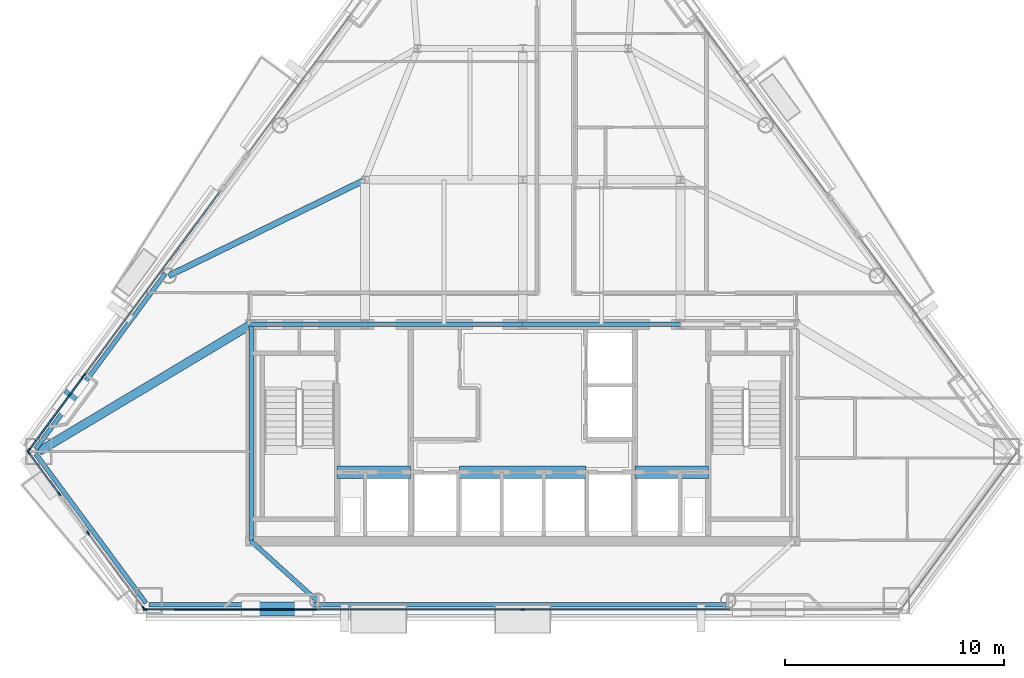
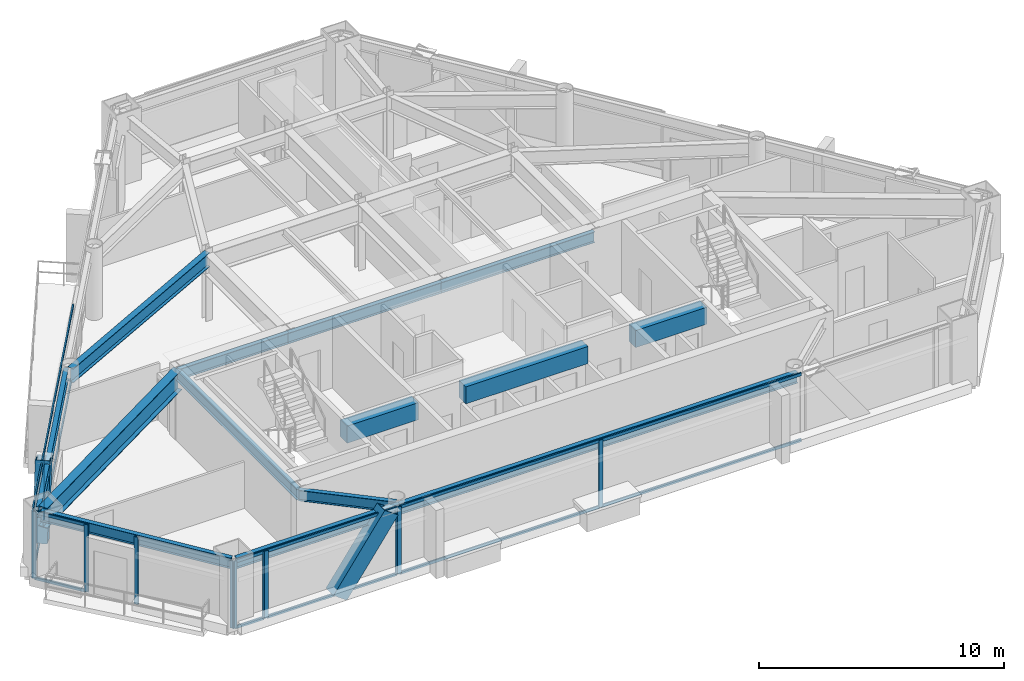
# One storey, part 3 of 11: 29 members, 14 beams, 7 elements without a shape of their own.
"""IFC4 building model written with IfcOpenShell, lengths in metres."""

import ifcopenshell
import ifcopenshell.guid

model = None  # the IFC model being written
_history = None  # IfcOwnerHistory: only IFC2X3 demands one
_inside = {}  # id of a spatial element -> (the spatial element, [elements in it])
_under = {}  # id of a project, library or spatial element -> (it, [spatial elements below it])
_declared = {}  # id of a project -> (the project, [libraries it declares])
_typed = {}  # id of a type object -> (the type object, [elements of that type])
_made_of = {}  # id of a material, layer set ... -> (it, [elements and type objects made of it])


def new_model(schema):
    """Start an empty IFC model of exactly this schema.

    Asked for "IFC4X3", IfcOpenShell would pick the latest addendum, in which some entities
    have other attributes; the version numbers below select the first issue.
    IFC2X3 requires an IfcOwnerHistory on every rooted entity: one is made here for all.
    """
    global model, _history
    if schema == "IFC4X3":
        model = ifcopenshell.file(schema_version=(4, 3, 0, 0))
    else:
        model = ifcopenshell.file(schema=schema)
    _inside.clear()
    _under.clear()
    _declared.clear()
    _typed.clear()
    _made_of.clear()
    _history = None
    if model.schema == "IFC2X3":
        org = make("IfcOrganization", Name="unknown")
        user = make(
            "IfcPersonAndOrganization",
            ThePerson=make("IfcPerson", FamilyName="unknown"),
            TheOrganization=org,
        )
        app = make(
            "IfcApplication",
            ApplicationDeveloper=org,
            Version="unknown",
            ApplicationFullName="unknown",
            ApplicationIdentifier="unknown",
        )
        _history = make(
            "IfcOwnerHistory",
            OwningUser=user,
            OwningApplication=app,
            ChangeAction="ADDED",
            CreationDate=0,
        )
    return model


def make(cls, **values):
    """One entity of the class cls with the attributes given. An attribute that is None is left unset."""
    return model.create_entity(
        cls, **{name: value for name, value in values.items() if value is not None}
    )


def rooted(cls, **values):
    """An entity with a GlobalId (a new one), such as an element, a storey or a relation."""
    return make(cls, GlobalId=ifcopenshell.guid.new(), OwnerHistory=_history, **values)


def si_unit(unit_type, name, prefix=None):
    """IfcSIUnit, for example si_unit("LENGTHUNIT", "METRE", prefix="MILLI")."""
    return make("IfcSIUnit", UnitType=unit_type, Prefix=prefix, Name=name)


def assignment(units):
    """IfcUnitAssignment: the units of a project."""
    return None if units is None else make("IfcUnitAssignment", Units=units)


def point(xyz):
    """IfcCartesianPoint."""
    return None if xyz is None else make("IfcCartesianPoint", Coordinates=xyz)


def direction(xyz):
    """IfcDirection."""
    return None if xyz is None else make("IfcDirection", DirectionRatios=xyz)


def frame(location, z_axis=None, x_axis=None):
    """IfcAxis2Placement3D, a coordinate frame: its origin and axes. An axis left out is left unset."""
    return make(
        "IfcAxis2Placement3D",
        Location=point(location),
        Axis=direction(z_axis),
        RefDirection=direction(x_axis),
    )


def frame_2d(location, x_axis=None):
    """IfcAxis2Placement2D, a coordinate frame in the plane: its origin and x axis."""
    return make(
        "IfcAxis2Placement2D", Location=point(location), RefDirection=direction(x_axis)
    )


def origin():
    """The frame at (0, 0, 0) with its axes left unset."""
    return frame((0.0, 0.0, 0.0))


def origin_2d():
    """The frame at (0, 0) in the plane with its x axis left unset."""
    return frame_2d((0.0, 0.0))


def place(relative_to, where):
    """IfcLocalPlacement: puts the frame where relative to a parent placement (None: the world)."""
    return make(
        "IfcLocalPlacement", PlacementRelTo=relative_to, RelativePlacement=where
    )


def context(
    kind, dimensions, precision=None, world=None, true_north=None, identifier=None
):
    """IfcGeometricRepresentationContext, for example the 3D "Model" context."""
    return make(
        "IfcGeometricRepresentationContext",
        ContextIdentifier=identifier,
        ContextType=kind,
        CoordinateSpaceDimension=dimensions,
        Precision=precision,
        WorldCoordinateSystem=world,
        TrueNorth=true_north,
    )


def subcontext(parent, identifier, kind, view, scale=None):
    """IfcGeometricRepresentationSubContext, for example "Body" below "Model"."""
    return make(
        "IfcGeometricRepresentationSubContext",
        ContextIdentifier=identifier,
        ContextType=kind,
        ParentContext=parent,
        TargetScale=scale,
        TargetView=view,
    )


def project(units=None, contexts=None):
    """IfcProject with its units and contexts."""
    return rooted(
        "IfcProject",
        Name="project",
        RepresentationContexts=contexts,
        UnitsInContext=assignment(units),
    )


def spatial(cls, under=None, at=None, **own):
    """A site, building, storey or space (cls), placed at a placement, below another one or the project."""
    s = rooted(cls, ObjectPlacement=at, **own)
    if under is not None:
        _under.setdefault(under.id(), (under, []))[1].append(s)
    return s


def profile(cls, at=None, kind="AREA", **sizes):
    """A parametric profile (cls). Its sizes go by their IFC names, for example OverallWidth=200.0."""
    return make(cls, ProfileType=kind, Position=at, **sizes)


def rectangle(**sizes):
    """IfcRectangleProfileDef."""
    return profile("IfcRectangleProfileDef", **sizes)


def hollow_rectangle(**sizes):
    """IfcRectangleHollowProfileDef."""
    return profile("IfcRectangleHollowProfileDef", **sizes)


def i_section(**sizes):
    """IfcIShapeProfileDef."""
    return profile("IfcIShapeProfileDef", **sizes)


def extrude(swept, where, along, depth):
    """IfcExtrudedAreaSolid: the profile swept, set in the frame where, extruded along a direction by depth."""
    return make(
        "IfcExtrudedAreaSolid",
        SweptArea=swept,
        Position=where,
        ExtrudedDirection=direction(along),
        Depth=depth,
    )


def shape(context_of_items, identifier, shape_type, items):
    """IfcShapeRepresentation: the items that make up one representation, for example the "Body"."""
    return make(
        "IfcShapeRepresentation",
        ContextOfItems=context_of_items,
        RepresentationIdentifier=identifier,
        RepresentationType=shape_type,
        Items=items,
    )


def material(Name=None, Category=None):
    """IfcMaterial."""
    return make("IfcMaterial", Name=Name, Category=Category)


def layer(
    of_material, thickness, ventilated=None, Name=None, Category=None, Priority=None
):
    """IfcMaterialLayer: one layer of a wall or slab, of a material (None: an air gap)."""
    return make(
        "IfcMaterialLayer",
        Material=of_material,
        LayerThickness=thickness,
        IsVentilated=ventilated,
        Name=Name,
        Category=Category,
        Priority=Priority,
    )


def layer_set(layers, Name=None):
    """IfcMaterialLayerSet."""
    return make("IfcMaterialLayerSet", MaterialLayers=layers, LayerSetName=Name)


def material_profile(
    of_material, cross_section, Name=None, Category=None, Priority=None
):
    """IfcMaterialProfile: a cross section and its material."""
    return make(
        "IfcMaterialProfile",
        Name=Name,
        Material=of_material,
        Profile=cross_section,
        Priority=Priority,
        Category=Category,
    )


def profile_set(profiles, Name=None, composite=None):
    """IfcMaterialProfileSet."""
    return make(
        "IfcMaterialProfileSet",
        Name=Name,
        MaterialProfiles=profiles,
        CompositeProfile=composite,
    )


def made_of(thing, what):
    """Note that an element or type object is made of a material, layer set ...; save() writes the relation."""
    if what is not None:
        _made_of.setdefault(what.id(), (what, []))[1].append(thing)
    return thing


def type_object(cls, material=None, **own):
    """A type object (cls), such as IfcWallType, which elements share."""
    return made_of(rooted(cls, **own), material)


def element(
    cls,
    number,
    at=None,
    inside=None,
    cuts=None,
    type_object=None,
    material=None,
    context=None,
    identifier="Body",
    shape_type=None,
    held_by="IfcProductDefinitionShape",
    body=None,
    shapes=None,
    **own,
):
    """One element of the class cls, such as IfcWall. Its Tag is "e" and its number.

    at: its placement. inside: the storey or other place that contains it. cuts: it is an
    opening in that element (IfcRelVoidsElement). A single representation is given by context,
    identifier, shape_type and body (its items); several are given by shapes. held_by: the class
    of the entity that holds the representations. save() writes the other relations.
    """
    e = rooted(cls, Tag="e%d" % number, ObjectPlacement=at, **own)
    if body is not None:
        shapes = [shape(context, identifier, shape_type, body)]
    if shapes is not None:
        e.Representation = make(held_by, Representations=shapes)
    if inside is not None:
        _inside.setdefault(inside.id(), (inside, []))[1].append(e)
    if cuts is not None:
        rooted(
            "IfcRelVoidsElement", RelatingBuildingElement=cuts, RelatedOpeningElement=e
        )
    if type_object is not None:
        _typed.setdefault(type_object.id(), (type_object, []))[1].append(e)
    return made_of(e, material)


def aggregate(whole, parts):
    """IfcRelAggregates: a whole, such as a stair, and the parts it consists of."""
    return rooted("IfcRelAggregates", RelatingObject=whole, RelatedObjects=parts)


def save(model, path):
    """Write the relations noted so far, then the file.

    IfcRelAggregates (storeys below a building ...), IfcRelContainedInSpatialStructure (elements
    in a storey), IfcRelDefinesByType, IfcRelAssociatesMaterial and IfcRelDeclares: one each for
    every whole, place, type object, material and project.
    """
    for whole, parts in _under.values():
        aggregate(whole, parts)
    for where, things in _inside.values():
        rooted(
            "IfcRelContainedInSpatialStructure",
            RelatedElements=things,
            RelatingStructure=where,
        )
    for kind, things in _typed.values():
        rooted("IfcRelDefinesByType", RelatedObjects=things, RelatingType=kind)
    for what, things in _made_of.values():
        rooted("IfcRelAssociatesMaterial", RelatedObjects=things, RelatingMaterial=what)
    for by, libraries in _declared.values():
        rooted("IfcRelDeclares", RelatingContext=by, RelatedDefinitions=libraries)
    model.write(path)


model = new_model("IFC4")

# Units and contexts
model_context = context("Model", 3, precision=1e-05, world=origin(), true_north=direction((0.0, 1.0)))
body_context = subcontext(model_context, "Body", "Model", "MODEL_VIEW")
ifc_project = project(units=[si_unit("LENGTHUNIT", "METRE"), si_unit("AREAUNIT", "SQUARE_METRE"), si_unit("VOLUMEUNIT", "CUBIC_METRE"), si_unit("PLANEANGLEUNIT", "RADIAN"), si_unit("MASSUNIT", "GRAM", prefix="KILO")], contexts=[model_context])

# Site, building, storey
site_placement = place(None, origin())
site = spatial("IfcSite", under=ifc_project, at=site_placement, CompositionType="ELEMENT")
building_placement = place(site_placement, origin())
building = spatial("IfcBuilding", under=site, at=building_placement, Name="Talgorran Terracotta Tower", CompositionType="ELEMENT")
storey_placement = place(building_placement, frame((0.0, 0.0, 136.5)))
storey = spatial("IfcBuildingStorey", under=building, at=storey_placement, Name="L35", CompositionType="ELEMENT", Elevation=136.5)

# Beams
ifc_material_1 = material(Name="Steel Grade 350 (350L0)", Category="steel")
ifc_material_profile_1 = material_profile(ifc_material_1, i_section(OverallWidth=0.39990234375, OverallDepth=1.0, WebThickness=0.01611328125, FlangeThickness=0.031005859375, at=origin_2d()), Name="1000WB296")
ifc_profile_set_1 = profile_set([ifc_material_profile_1], Name="Steel Grade 350 (350L0)")
beam_type_1 = type_object("IfcBeamType", Name="BM_1000WB296", PredefinedType="BEAM", material=ifc_profile_set_1)
beam_1_placement = place(storey_placement, frame((-12.39990234375, -4.199951171875, 2.85009765625), z_axis=(-0.858174722871, -0.513357716436, 0.0), x_axis=(0.513357716436, -0.858174722871, 0.0)))
element("IfcBeam", 1, at=beam_1_placement, inside=storey, type_object=beam_type_1, Name="L35 Floor Girder G17", PredefinedType="BEAM", context=body_context, shape_type="SweptSolid", body=[
    extrude(i_section(OverallWidth=0.39990234375, OverallDepth=1.0, WebThickness=0.01611328125, FlangeThickness=0.031005859375, at=origin_2d()), origin(), (0.0, 0.0, 1.0), 11.298828125),
])
ifc_material_2 = material(Name="Steel S355 (300PLUS)", Category="steel")
ifc_material_profile_2 = material_profile(ifc_material_2, i_section(OverallWidth=0.27490234375, OverallDepth=0.7080078125, WebThickness=0.011962890625, FlangeThickness=0.02490234375, at=origin_2d()), Name="700WB173")
ifc_profile_set_2 = profile_set([ifc_material_profile_2], Name="Steel S355 (300PLUS)")
beam_type_2 = type_object("IfcBeamType", Name="BM_700WB173", PredefinedType="BEAM", material=ifc_profile_set_2)
beam_2_placement = place(storey_placement, frame((-7.199951171875, 2.39990234375, 2.99609375), z_axis=(-0.898565721625, -0.438838972655, 0.0), x_axis=(0.438838972655, -0.898565721625, 0.0)))
element("IfcBeam", 2, at=beam_2_placement, inside=storey, type_object=beam_type_2, Name="L35 Floor Girder G06", PredefinedType="BEAM", context=body_context, shape_type="SweptSolid", body=[
    extrude(i_section(OverallWidth=0.27490234375, OverallDepth=0.7080078125, WebThickness=0.011962890625, FlangeThickness=0.02490234375, at=origin_2d()), origin(), (0.0, 0.0, 1.0), 9.981689453125),
])
ifc_material_3 = material(Name="Concrete C50/60", Category="concrete")
ifc_material_profile_3 = material_profile(ifc_material_3, rectangle(XDim=0.550048828125, YDim=0.85009765625, at=origin_2d()), Name="RCCB550X850")
ifc_profile_set_3 = profile_set([ifc_material_profile_3], Name="Concrete C50/60")
beam_type_3 = type_object("IfcBeamType", Name="BM_CB_550X850", PredefinedType="LINTEL", material=ifc_profile_set_3)
beam_3_placement = place(storey_placement, frame((-8.47998046875, -10.949951171875, 2.925048828125), z_axis=(1.0, 0.0, 0.0), x_axis=(0.0, 1.0, 0.0)))
element("IfcBeam", 3, at=beam_3_placement, inside=storey, type_object=beam_type_3, Name="L35 Core Shear-Wall Coupling Beam CB1", PredefinedType="LINTEL", context=body_context, shape_type="SweptSolid", body=[
    extrude(rectangle(XDim=0.550048828125, YDim=0.85009765625, at=origin_2d()), origin(), (0.0, 0.0, 1.0), 3.35986328125),
])
beam_4_placement = place(storey_placement, frame((-2.8798828125, -10.949951171875, 2.925048828125), z_axis=(1.0, 0.0, 0.0), x_axis=(0.0, 1.0, 0.0)))
element("IfcBeam", 4, at=beam_4_placement, inside=storey, type_object=beam_type_3, Name="L35 Core Shear-Wall Coupling Beam CB2", PredefinedType="LINTEL", context=body_context, shape_type="SweptSolid", body=[
    extrude(rectangle(XDim=0.550048828125, YDim=0.85009765625, at=origin_2d()), origin(), (0.0, 0.0, 1.0), 5.759765625),
])
beam_5_placement = place(storey_placement, frame((5.1201171875, -10.949951171875, 2.925048828125), z_axis=(1.0, 0.0, 0.0), x_axis=(0.0, 1.0, 0.0)))
element("IfcBeam", 5, at=beam_5_placement, inside=storey, type_object=beam_type_3, Name="L35 Core Shear-Wall Coupling Beam CB3", PredefinedType="LINTEL", context=body_context, shape_type="SweptSolid", body=[
    extrude(rectangle(XDim=0.550048828125, YDim=0.85009765625, at=origin_2d()), origin(), (0.0, 0.0, 1.0), 3.35986328125),
])
ifc_material_profile_4 = material_profile(ifc_material_2, i_section(OverallWidth=0.209228515625, OverallDepth=0.532958984375, WebThickness=0.01025390625, FlangeThickness=0.015625, at=origin_2d()), Name="530UB92.4")
ifc_profile_set_4 = profile_set([ifc_material_profile_4], Name="Steel S355 (300PLUS)")
beam_type_4 = type_object("IfcBeamType", Name="BM_SP_530UB92", PredefinedType="SPANDREL", material=ifc_profile_set_4)
beam_6_placement = place(storey_placement, frame((-22.2412109375, -10.107177734375, 3.08349609375), z_axis=(0.594369201234, -0.804192298288, 0.0), x_axis=(0.804192298288, 0.594369201234, 0.0)))
element("IfcBeam", 6, at=beam_6_placement, inside=storey, type_object=beam_type_4, Name="L35 Perimeter Spandrel Beam MC1-MC2", PredefinedType="SPANDREL", context=body_context, shape_type="SweptSolid", body=[
    extrude(i_section(OverallWidth=0.209228515625, OverallDepth=0.532958984375, WebThickness=0.01025390625, FlangeThickness=0.015625, at=origin_2d()), origin(), (0.0, 0.0, 1.0), 8.478759765625),
])
beam_7_placement = place(storey_placement, frame((-17.056884765625, -16.998779296875, 3.08349609375), z_axis=(1.0, 0.0, 0.0), x_axis=(0.0, 1.0, 0.0)))
element("IfcBeam", 7, at=beam_7_placement, inside=storey, type_object=beam_type_4, Name="L35 Perimeter Spandrel Beam MC2-FC1", PredefinedType="SPANDREL", context=body_context, shape_type="SweptSolid", body=[
    extrude(i_section(OverallWidth=0.209228515625, OverallDepth=0.532958984375, WebThickness=0.01025390625, FlangeThickness=0.015625, at=origin_2d()), origin(), (0.0, 0.0, 1.0), 7.67578125),
])
beam_8_placement = place(storey_placement, frame((-9.381103515625, -16.998779296875, 3.08349609375), z_axis=(1.0, 0.0, 0.0), x_axis=(0.0, 1.0, 0.0)))
element("IfcBeam", 8, at=beam_8_placement, inside=storey, type_object=beam_type_4, Name="L35 Perimeter Spandrel Beam FC1-FC2", PredefinedType="SPANDREL", context=body_context, shape_type="SweptSolid", body=[
    extrude(i_section(OverallWidth=0.209228515625, OverallDepth=0.532958984375, WebThickness=0.01025390625, FlangeThickness=0.015625, at=origin_2d()), origin(), (0.0, 0.0, 1.0), 18.76220703125),
])
beam_9_placement = place(storey_placement, frame((-16.31396484375, -1.873291015625, 3.08349609375), z_axis=(-0.594352513119, -0.804204632011, 0.0), x_axis=(0.804204632011, -0.594352513119, 0.0)))
element("IfcBeam", 9, at=beam_9_placement, inside=storey, type_object=beam_type_4, Name="L35 Perimeter Spandrel Beam FC6-MC1", PredefinedType="SPANDREL", context=body_context, shape_type="SweptSolid", body=[
    extrude(i_section(OverallWidth=0.209228515625, OverallDepth=0.532958984375, WebThickness=0.01025390625, FlangeThickness=0.015625, at=origin_2d()), origin(), (0.0, 0.0, 1.0), 9.97265625),
])
beam_10_placement = place(storey_placement, frame((-9.381103515625, -16.81884765625, 3.08349609375), z_axis=(-0.74306999476, 0.669213704945, 0.0), x_axis=(-0.669213704945, -0.74306999476, 0.0)))
element("IfcBeam", 10, at=beam_10_placement, inside=storey, type_object=beam_type_4, Name="L35 South-West Core Tie Beam", PredefinedType="SPANDREL", context=body_context, shape_type="SweptSolid", body=[
    extrude(i_section(OverallWidth=0.209228515625, OverallDepth=0.532958984375, WebThickness=0.01025390625, FlangeThickness=0.015625, at=origin_2d()), origin(), (0.0, 0.0, 1.0), 4.0625),
])
beam_11_placement = place(storey_placement, frame((-12.39990234375, -14.10009765625, 3.08349609375), z_axis=(0.0, 1.0, 0.0), x_axis=(-1.0, 0.0, 0.0)))
element("IfcBeam", 11, at=beam_11_placement, inside=storey, type_object=beam_type_4, Name="L35 Core Frame Beam CFW", PredefinedType="SPANDREL", context=body_context, shape_type="SweptSolid", body=[
    extrude(i_section(OverallWidth=0.209228515625, OverallDepth=0.532958984375, WebThickness=0.01025390625, FlangeThickness=0.015625, at=origin_2d()), origin(), (0.0, 0.0, 1.0), 9.900146484375),
])
beam_12_placement = place(storey_placement, frame((-12.39990234375, -4.199951171875, 3.08349609375), z_axis=(1.0, 0.0, 0.0), x_axis=(0.0, 1.0, 0.0)))
element("IfcBeam", 12, at=beam_12_placement, inside=storey, type_object=beam_type_4, Name="L35 Core Frame Beam CFN1", PredefinedType="SPANDREL", context=body_context, shape_type="SweptSolid", body=[
    extrude(i_section(OverallWidth=0.209228515625, OverallDepth=0.532958984375, WebThickness=0.01025390625, FlangeThickness=0.015625, at=origin_2d()), origin(), (0.0, 0.0, 1.0), 5.199951171875),
])
for number, where, z_axis, x_axis, name in (
    (13, (-7.199951171875, -4.199951171875, 3.08349609375), (1.0, 0.0, 0.0), (0.0, 1.0, 0.0), "L35 Core Frame Beam CFN2"),
    (14, (0.0, -4.199951171875, 3.08349609375), (1.0, 0.0, 0.0), (0.0, 1.0, 0.0), "L35 Core Frame Beam CFN3"),
):
    element("IfcBeam", number, at=place(storey_placement, frame(where, z_axis=z_axis, x_axis=x_axis)), inside=storey, type_object=beam_type_4, Name=name, PredefinedType="SPANDREL", context=body_context, shape_type="SweptSolid", body=[
        extrude(i_section(OverallWidth=0.209228515625, OverallDepth=0.532958984375, WebThickness=0.01025390625, FlangeThickness=0.015625, at=origin_2d()), origin(), (0.0, 0.0, 1.0), 7.199951171875),
    ])

# Members
ifc_material_profile_5 = material_profile(ifc_material_1, hollow_rectangle(XDim=0.6201171875, YDim=0.780029296875, WallThickness=0.0419921875, at=origin_2d()), Name="WBOX780X620X42")
ifc_profile_set_5 = profile_set([ifc_material_profile_5], Name="Steel Grade 350 (350L0)")
member_type_1 = type_object("IfcMemberType", Name="MB_MEGA_780", PredefinedType="BRACE", material=ifc_profile_set_5)
member_1_placement = place(storey_placement, frame((-12.41162109375, -17.178955078125, -0.02490234375), z_axis=(0.578826145005, 0.0, 0.815450975755), x_axis=(0.0, 1.0, 0.0)))
element("IfcMember", 15, at=member_1_placement, inside=storey, type_object=member_type_1, Name="L35 Exterior Face Mega-Brace MB-2 (SWF)", PredefinedType="BRACE", context=body_context, shape_type="SweptSolid", body=[
    extrude(hollow_rectangle(XDim=0.6201171875, YDim=0.780029296875, WallThickness=0.0419921875, at=origin_2d()), origin(), (0.0, 0.0, 1.0), 4.16943359375),
])
member_2_placement = place(storey_placement, frame((-20.96142578125, -7.85888671875, -0.02490234375), z_axis=(0.178557600451, 0.241569872187, 0.953814017601), x_axis=(-0.804166664466, 0.594403882694, 0.0)))
element("IfcMember", 16, at=member_2_placement, inside=storey, type_object=member_type_1, Name="L35 Exterior Face Mega-Brace MB-2 (NWL)", PredefinedType="BRACE", context=body_context, shape_type="SweptSolid", body=[
    extrude(hollow_rectangle(XDim=0.6201171875, YDim=0.780029296875, WallThickness=0.0419921875, at=origin_2d()), origin(), (0.0, 0.0, 1.0), 3.564453125),
])

# Curtain wall, members
ifc_material_4 = material(Name="Unitised Low-E Double Glazing", Category="glass")
ifc_layer = layer(ifc_material_4, 0.199951171875, Name="CW_SYS2_RES_LOW")
ifc_layer_set = layer_set([ifc_layer], Name="Unitised Low-E Double Glazing")
curtain_wall_type = type_object("IfcCurtainWallType", Name="CW_SYS2_RES_LOW", PredefinedType="NOTDEFINED", material=ifc_layer_set)
curtain_wall_1_placement = place(storey_placement, origin())
curtain_wall_1 = element("IfcCurtainWall", 17, at=curtain_wall_1_placement, inside=storey, type_object=curtain_wall_type, Name="CW-L35-F10", PredefinedType="NOTDEFINED")
ifc_material_5 = material(Name="Architectural Aluminium 6063-T6", Category="aluminium")
ifc_material_profile_6 = material_profile(ifc_material_5, rectangle(XDim=0.06494140625, YDim=0.18505859375, at=origin_2d()), Name="CWM65X185")
ifc_profile_set_6 = profile_set([ifc_material_profile_6], Name="Architectural Aluminium 6063-T6")
member_type_2 = type_object("IfcMemberType", Name="MUL_65X185", PredefinedType="MULLION", material=ifc_profile_set_6)
member_3_placement = place(storey_placement, frame((-22.550537109375, -10.05859375, 0.0), z_axis=(0.0, 0.0, 1.0), x_axis=(0.804206457438, 0.594350043169, 0.0)))
member_3 = element("IfcMember", 18, at=member_3_placement, type_object=member_type_2, Name="CW-L35-10 mullion 1", PredefinedType="MULLION", context=body_context, shape_type="SweptSolid", body=[
    extrude(rectangle(XDim=0.06494140625, YDim=0.18505859375, at=origin_2d()), origin(), (0.0, 0.0, 1.0), 3.35009765625),
])
member_4_placement = place(storey_placement, frame((-21.163330078125, -11.935791015625, 0.0), z_axis=(0.0, 0.0, 1.0), x_axis=(0.804206457438, 0.594350043169, 0.0)))
member_4 = element("IfcMember", 19, at=member_4_placement, type_object=member_type_2, Name="CW-L35-10 mullion 2", PredefinedType="MULLION", context=body_context, shape_type="SweptSolid", body=[
    extrude(rectangle(XDim=0.06494140625, YDim=0.18505859375, at=origin_2d()), origin(), (0.0, 0.0, 1.0), 3.35009765625),
])

curtain_wall_2_placement = place(storey_placement, origin())
curtain_wall_2 = element("IfcCurtainWall", 20, at=curtain_wall_2_placement, inside=storey, type_object=curtain_wall_type, Name="CW-L35-F11", PredefinedType="NOTDEFINED")
member_5_placement = place(storey_placement, frame((-19.8408203125, -13.72509765625, 0.0), z_axis=(0.0, 0.0, 1.0), x_axis=(0.804194350714, 0.594366424253, 0.0)))
member_5 = element("IfcMember", 21, at=member_5_placement, type_object=member_type_2, Name="CW-L35-11 mullion 1", PredefinedType="MULLION", context=body_context, shape_type="SweptSolid", body=[
    extrude(rectangle(XDim=0.06494140625, YDim=0.18505859375, at=origin_2d()), origin(), (0.0, 0.0, 1.0), 3.35009765625),
])
member_6_placement = place(storey_placement, frame((-17.3017578125, -17.16064453125, 0.0), z_axis=(0.0, 0.0, 1.0), x_axis=(0.804194350714, 0.594366424253, 0.0)))
member_6 = element("IfcMember", 22, at=member_6_placement, type_object=member_type_2, Name="CW-L35-11 mullion 2", PredefinedType="MULLION", context=body_context, shape_type="SweptSolid", body=[
    extrude(rectangle(XDim=0.06494140625, YDim=0.18505859375, at=origin_2d()), origin(), (0.0, 0.0, 1.0), 3.35009765625),
])
aggregate(curtain_wall_2, [member_5, member_6])

curtain_wall_3_placement = place(storey_placement, origin())
curtain_wall_3 = element("IfcCurtainWall", 23, at=curtain_wall_3_placement, inside=storey, type_object=curtain_wall_type, Name="CW-L35-F1", PredefinedType="NOTDEFINED")
member_7_placement = place(storey_placement, frame((-17.22607421875, -17.218994140625, 0.0), z_axis=(0.0, 0.0, 1.0), x_axis=(0.0, 1.0, 0.0)))
member_7 = element("IfcMember", 24, at=member_7_placement, type_object=member_type_2, Name="CW-L35-1 mullion 1", PredefinedType="MULLION", context=body_context, shape_type="SweptSolid", body=[
    extrude(rectangle(XDim=0.06494140625, YDim=0.18505859375, at=origin_2d()), origin(), (0.0, 0.0, 1.0), 3.35009765625),
])
member_8_placement = place(storey_placement, frame((-15.8251953125, -17.218994140625, 0.0), z_axis=(0.0, 0.0, 1.0), x_axis=(0.0, 1.0, 0.0)))
member_8 = element("IfcMember", 25, at=member_8_placement, type_object=member_type_2, Name="CW-L35-1 mullion 2", PredefinedType="MULLION", context=body_context, shape_type="SweptSolid", body=[
    extrude(rectangle(XDim=0.06494140625, YDim=0.18505859375, at=origin_2d()), origin(), (0.0, 0.0, 1.0), 3.35009765625),
])

curtain_wall_4_placement = place(storey_placement, origin())
curtain_wall_4 = element("IfcCurtainWall", 26, at=curtain_wall_4_placement, inside=storey, type_object=curtain_wall_type, Name="CW-L35-F1B", PredefinedType="NOTDEFINED")
member_9_placement = place(storey_placement, frame((-15.75, -17.218994140625, 0.0), z_axis=(0.0, 0.0, 1.0), x_axis=(0.0, 1.0, 0.0)))
member_9 = element("IfcMember", 27, at=member_9_placement, type_object=member_type_2, Name="CW-L35-1B mullion 1", PredefinedType="MULLION", context=body_context, shape_type="SweptSolid", body=[
    extrude(rectangle(XDim=0.06494140625, YDim=0.18505859375, at=origin_2d()), origin(), (0.0, 0.0, 1.0), 3.35009765625),
])
member_10_placement = place(storey_placement, frame((-9.56787109375, -17.218994140625, 0.0), z_axis=(0.0, 0.0, 1.0), x_axis=(0.0, 1.0, 0.0)))
member_10 = element("IfcMember", 28, at=member_10_placement, type_object=member_type_2, Name="CW-L35-1B mullion 2", PredefinedType="MULLION", context=body_context, shape_type="SweptSolid", body=[
    extrude(rectangle(XDim=0.06494140625, YDim=0.18505859375, at=origin_2d()), origin(), (0.0, 0.0, 1.0), 3.35009765625),
])

curtain_wall_5_placement = place(storey_placement, origin())
curtain_wall_5 = element("IfcCurtainWall", 29, at=curtain_wall_5_placement, inside=storey, type_object=curtain_wall_type, Name="CW-L35-F1C", PredefinedType="NOTDEFINED")
member_11_placement = place(storey_placement, frame((-9.492919921875, -17.218994140625, 0.0), z_axis=(0.0, 0.0, 1.0), x_axis=(0.0, 1.0, 0.0)))
member_11 = element("IfcMember", 30, at=member_11_placement, type_object=member_type_2, Name="CW-L35-1C mullion 1", PredefinedType="MULLION", context=body_context, shape_type="SweptSolid", body=[
    extrude(rectangle(XDim=0.06494140625, YDim=0.18505859375, at=origin_2d()), origin(), (0.0, 0.0, 1.0), 3.35009765625),
])
member_12_placement = place(storey_placement, frame((0.0, -17.218994140625, 0.0), z_axis=(0.0, 0.0, 1.0), x_axis=(0.0, 1.0, 0.0)))
member_12 = element("IfcMember", 31, at=member_12_placement, type_object=member_type_2, Name="CW-L35-1C mullion 2", PredefinedType="MULLION", context=body_context, shape_type="SweptSolid", body=[
    extrude(rectangle(XDim=0.06494140625, YDim=0.18505859375, at=origin_2d()), origin(), (0.0, 0.0, 1.0), 3.35009765625),
])

# Curtain wall, member
curtain_wall_6_placement = place(storey_placement, origin())
curtain_wall_6 = element("IfcCurtainWall", 32, at=curtain_wall_6_placement, inside=storey, type_object=curtain_wall_type, Name="CW-L35-F61", PredefinedType="NOTDEFINED")
member_13_placement = place(storey_placement, frame((-20.024658203125, -6.524169921875, 0.0), z_axis=(0.0, 0.0, 1.0), x_axis=(0.804198531068, -0.594360768076, 0.0)))
member_13 = element("IfcMember", 33, at=member_13_placement, type_object=member_type_2, Name="CW-L35-61 mullion 2", PredefinedType="MULLION", context=body_context, shape_type="SweptSolid", body=[
    extrude(rectangle(XDim=0.06494140625, YDim=0.18505859375, at=origin_2d()), origin(), (0.0, 0.0, 1.0), 3.35009765625),
])

# Curtain wall, members
curtain_wall_7_placement = place(storey_placement, origin())
curtain_wall_7 = element("IfcCurtainWall", 34, at=curtain_wall_7_placement, inside=storey, type_object=curtain_wall_type, Name="CW-L35-F61B", PredefinedType="NOTDEFINED")
member_14_placement = place(storey_placement, frame((-20.0693359375, -6.58447265625, 0.0), z_axis=(0.0, 0.0, 1.0), x_axis=(0.804200158966, -0.594358565446, 0.0)))
member_14 = element("IfcMember", 35, at=member_14_placement, type_object=member_type_2, Name="CW-L35-61B mullion 1", PredefinedType="MULLION", context=body_context, shape_type="SweptSolid", body=[
    extrude(rectangle(XDim=0.06494140625, YDim=0.18505859375, at=origin_2d()), origin(), (0.0, 0.0, 1.0), 3.35009765625),
])
member_15_placement = place(storey_placement, frame((-22.550537109375, -9.94189453125, 0.0), z_axis=(0.0, 0.0, 1.0), x_axis=(0.804200158966, -0.594358565446, 0.0)))
member_15 = element("IfcMember", 36, at=member_15_placement, type_object=member_type_2, Name="CW-L35-61B mullion 2", PredefinedType="MULLION", context=body_context, shape_type="SweptSolid", body=[
    extrude(rectangle(XDim=0.06494140625, YDim=0.18505859375, at=origin_2d()), origin(), (0.0, 0.0, 1.0), 3.35009765625),
])

# Member
ifc_material_profile_7 = material_profile(ifc_material_5, rectangle(XDim=0.06494140625, YDim=0.14990234375, at=origin_2d()), Name="CWT65X150")
ifc_profile_set_7 = profile_set([ifc_material_profile_7], Name="Architectural Aluminium 6063-T6")
member_type_3 = type_object("IfcMemberType", Name="TRN_65X150", PredefinedType="USERDEFINED", material=ifc_profile_set_7)
member_16_placement = place(storey_placement, frame((-22.53125, -10.084716796875, 0.032470703125), z_axis=(0.59432148115, -0.804227565459, 0.0), x_axis=(0.804227565459, 0.59432148115, 0.0)))
member_16 = element("IfcMember", 37, at=member_16_placement, type_object=member_type_3, Name="CW-L35-10 transom 1.1", ObjectType="TRANSOM", PredefinedType="USERDEFINED", context=body_context, shape_type="SweptSolid", body=[
    extrude(rectangle(XDim=0.06494140625, YDim=0.14990234375, at=origin_2d()), origin(), (0.0, 0.0, 1.0), 2.269287109375),
])

member_17_placement = place(storey_placement, frame((-22.53125, -10.084716796875, 3.3173828125), z_axis=(0.59432148115, -0.804227565459, 0.0), x_axis=(0.804227565459, 0.59432148115, 0.0)))
member_17 = element("IfcMember", 38, at=member_17_placement, type_object=member_type_3, Name="CW-L35-10 transom 1.2", ObjectType="TRANSOM", PredefinedType="USERDEFINED", context=body_context, shape_type="SweptSolid", body=[
    extrude(rectangle(XDim=0.06494140625, YDim=0.14990234375, at=origin_2d()), origin(), (0.0, 0.0, 1.0), 2.269287109375),
])

aggregate(curtain_wall_1, [member_3, member_4, member_16, member_17])

member_18_placement = place(storey_placement, frame((-17.193603515625, -17.218994140625, 0.032470703125), z_axis=(1.0, 0.0, 0.0), x_axis=(0.0, 1.0, 0.0)))
member_18 = element("IfcMember", 39, at=member_18_placement, type_object=member_type_3, Name="CW-L35-1 transom 1.1", ObjectType="TRANSOM", PredefinedType="USERDEFINED", context=body_context, shape_type="SweptSolid", body=[
    extrude(rectangle(XDim=0.06494140625, YDim=0.14990234375, at=origin_2d()), origin(), (0.0, 0.0, 1.0), 1.3359375),
])

member_19_placement = place(storey_placement, frame((-17.193603515625, -17.218994140625, 3.3173828125), z_axis=(1.0, 0.0, 0.0), x_axis=(0.0, 1.0, 0.0)))
member_19 = element("IfcMember", 40, at=member_19_placement, type_object=member_type_3, Name="CW-L35-1 transom 1.2", ObjectType="TRANSOM", PredefinedType="USERDEFINED", context=body_context, shape_type="SweptSolid", body=[
    extrude(rectangle(XDim=0.06494140625, YDim=0.14990234375, at=origin_2d()), origin(), (0.0, 0.0, 1.0), 1.3359375),
])

aggregate(curtain_wall_3, [member_7, member_8, member_18, member_19])

member_20_placement = place(storey_placement, frame((-15.717529296875, -17.218994140625, 0.032470703125), z_axis=(1.0, 0.0, 0.0), x_axis=(0.0, 1.0, 0.0)))
member_20 = element("IfcMember", 41, at=member_20_placement, type_object=member_type_3, Name="CW-L35-1B transom 1.1", ObjectType="TRANSOM", PredefinedType="USERDEFINED", context=body_context, shape_type="SweptSolid", body=[
    extrude(rectangle(XDim=0.06494140625, YDim=0.14990234375, at=origin_2d()), origin(), (0.0, 0.0, 1.0), 6.1171875),
])

member_21_placement = place(storey_placement, frame((-15.717529296875, -17.218994140625, 3.3173828125), z_axis=(1.0, 0.0, 0.0), x_axis=(0.0, 1.0, 0.0)))
member_21 = element("IfcMember", 42, at=member_21_placement, type_object=member_type_3, Name="CW-L35-1B transom 1.2", ObjectType="TRANSOM", PredefinedType="USERDEFINED", context=body_context, shape_type="SweptSolid", body=[
    extrude(rectangle(XDim=0.06494140625, YDim=0.14990234375, at=origin_2d()), origin(), (0.0, 0.0, 1.0), 6.1171875),
])

aggregate(curtain_wall_4, [member_9, member_10, member_20, member_21])

member_22_placement = place(storey_placement, frame((-9.460205078125, -17.218994140625, 0.032470703125), z_axis=(1.0, 0.0, 0.0), x_axis=(0.0, 1.0, 0.0)))
member_22 = element("IfcMember", 43, at=member_22_placement, type_object=member_type_3, Name="CW-L35-1C transom 1.1", ObjectType="TRANSOM", PredefinedType="USERDEFINED", context=body_context, shape_type="SweptSolid", body=[
    extrude(rectangle(XDim=0.06494140625, YDim=0.14990234375, at=origin_2d()), origin(), (0.0, 0.0, 1.0), 9.427734375),
])

member_23_placement = place(storey_placement, frame((-9.460205078125, -17.218994140625, 3.3173828125), z_axis=(1.0, 0.0, 0.0), x_axis=(0.0, 1.0, 0.0)))
member_23 = element("IfcMember", 44, at=member_23_placement, type_object=member_type_3, Name="CW-L35-1C transom 1.2", ObjectType="TRANSOM", PredefinedType="USERDEFINED", context=body_context, shape_type="SweptSolid", body=[
    extrude(rectangle(XDim=0.06494140625, YDim=0.14990234375, at=origin_2d()), origin(), (0.0, 0.0, 1.0), 9.427734375),
])

member_24_placement = place(storey_placement, frame((0.032470703125, -17.218994140625, 0.032470703125), z_axis=(1.0, 0.0, 0.0), x_axis=(0.0, 1.0, 0.0)))
member_24 = element("IfcMember", 45, at=member_24_placement, type_object=member_type_3, Name="CW-L35-1C transom 2.1", ObjectType="TRANSOM", PredefinedType="USERDEFINED", context=body_context, shape_type="SweptSolid", body=[
    extrude(rectangle(XDim=0.06494140625, YDim=0.14990234375, at=origin_2d()), origin(), (0.0, 0.0, 1.0), 9.427734375),
])

member_25_placement = place(storey_placement, frame((0.032470703125, -17.218994140625, 3.3173828125), z_axis=(1.0, 0.0, 0.0), x_axis=(0.0, 1.0, 0.0)))
member_25 = element("IfcMember", 46, at=member_25_placement, type_object=member_type_3, Name="CW-L35-1C transom 2.2", ObjectType="TRANSOM", PredefinedType="USERDEFINED", context=body_context, shape_type="SweptSolid", body=[
    extrude(rectangle(XDim=0.06494140625, YDim=0.14990234375, at=origin_2d()), origin(), (0.0, 0.0, 1.0), 9.427734375),
])

aggregate(curtain_wall_5, [member_11, member_12, member_22, member_23, member_24, member_25])

member_26_placement = place(storey_placement, frame((-13.8486328125, 1.832275390625, 0.032470703125), z_axis=(-0.594362564718, -0.804197203217, 0.0), x_axis=(0.804197203217, -0.594362564718, 0.0)))
member_26 = element("IfcMember", 47, at=member_26_placement, type_object=member_type_3, Name="CW-L35-61 transom 1.1", ObjectType="TRANSOM", PredefinedType="USERDEFINED", context=body_context, shape_type="SweptSolid", body=[
    extrude(rectangle(XDim=0.06494140625, YDim=0.14990234375, at=origin_2d()), origin(), (0.0, 0.0, 1.0), 10.358642578125),
])

member_27_placement = place(storey_placement, frame((-13.8486328125, 1.832275390625, 3.3173828125), z_axis=(-0.594362564718, -0.804197203217, 0.0), x_axis=(0.804197203217, -0.594362564718, 0.0)))
member_27 = element("IfcMember", 48, at=member_27_placement, type_object=member_type_3, Name="CW-L35-61 transom 1.2", ObjectType="TRANSOM", PredefinedType="USERDEFINED", context=body_context, shape_type="SweptSolid", body=[
    extrude(rectangle(XDim=0.06494140625, YDim=0.14990234375, at=origin_2d()), origin(), (0.0, 0.0, 1.0), 10.358642578125),
])

aggregate(curtain_wall_6, [member_13, member_26, member_27])

member_28_placement = place(storey_placement, frame((-20.088623046875, -6.610595703125, 0.032470703125), z_axis=(-0.594339280863, -0.804214411226, 0.0), x_axis=(0.804214411226, -0.594339280863, 0.0)))
member_28 = element("IfcMember", 49, at=member_28_placement, type_object=member_type_3, Name="CW-L35-61B transom 1.1", ObjectType="TRANSOM", PredefinedType="USERDEFINED", context=body_context, shape_type="SweptSolid", body=[
    extrude(rectangle(XDim=0.06494140625, YDim=0.14990234375, at=origin_2d()), origin(), (0.0, 0.0, 1.0), 4.10986328125),
])

member_29_placement = place(storey_placement, frame((-20.088623046875, -6.610595703125, 3.3173828125), z_axis=(-0.594339280863, -0.804214411226, 0.0), x_axis=(0.804214411226, -0.594339280863, 0.0)))
member_29 = element("IfcMember", 50, at=member_29_placement, type_object=member_type_3, Name="CW-L35-61B transom 1.2", ObjectType="TRANSOM", PredefinedType="USERDEFINED", context=body_context, shape_type="SweptSolid", body=[
    extrude(rectangle(XDim=0.06494140625, YDim=0.14990234375, at=origin_2d()), origin(), (0.0, 0.0, 1.0), 4.10986328125),
])

aggregate(curtain_wall_7, [member_14, member_15, member_28, member_29])

save(model, "model.ifc")
